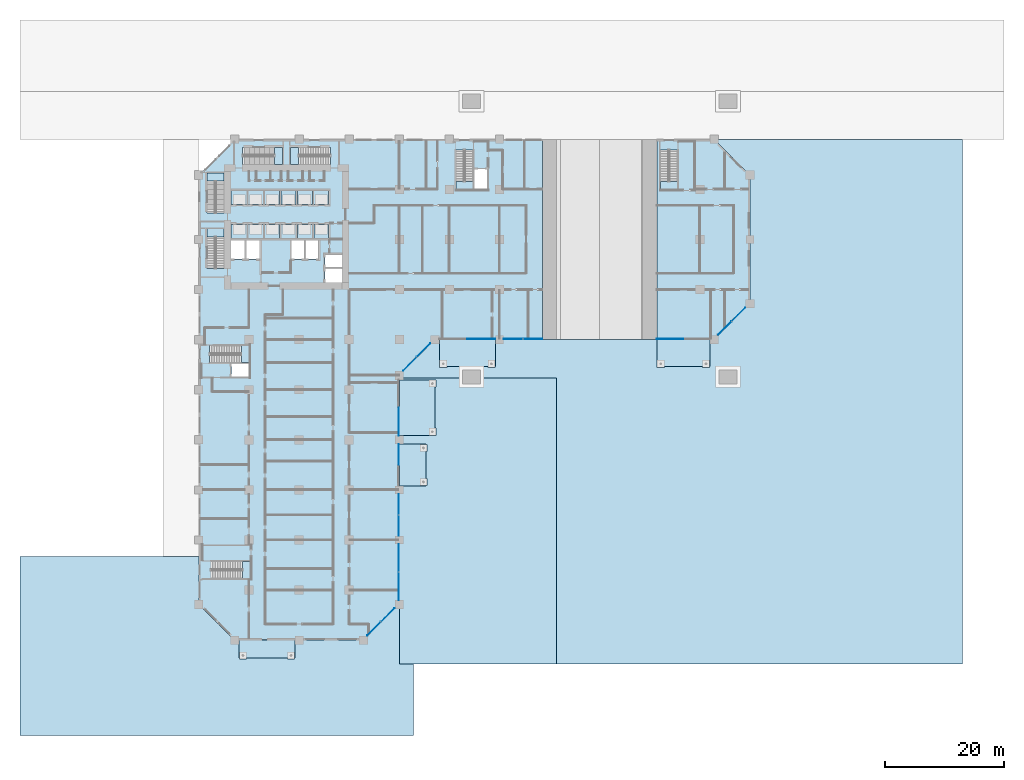
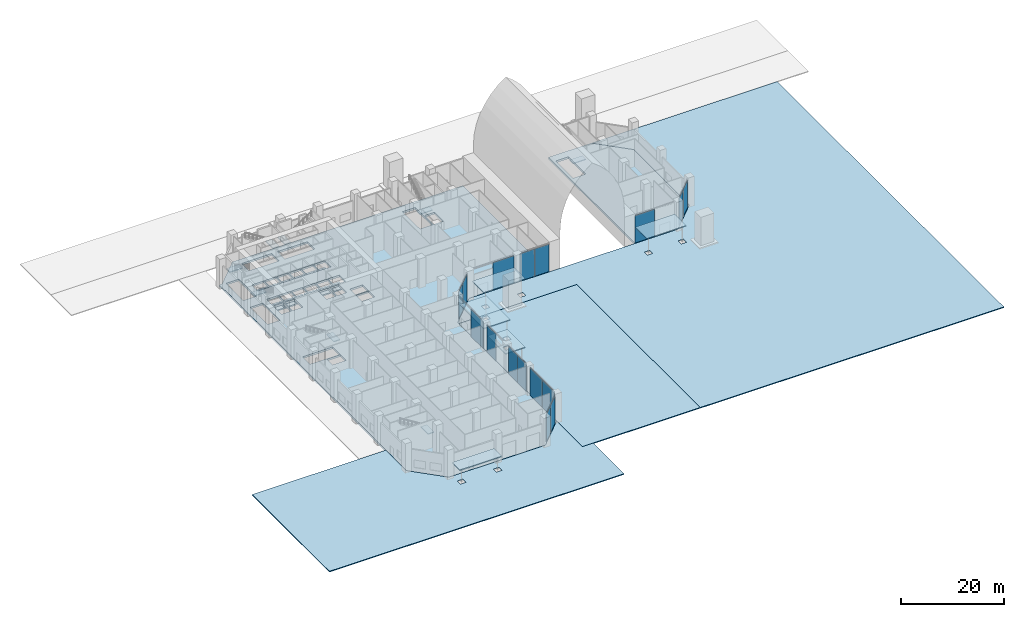
# One storey, part 13 of 32: 30 slabs, 16 plates, 14 elements without a shape of their own.
"""IFC4 building model written with IfcOpenShell, lengths in metres."""

from ifc_helpers import new_model, si_unit, direction, frame, origin, origin_2d, place, context, subcontext, project, spatial, polyline, rectangle, outline, extrude, material, layer, layer_set, type_object, element, aggregate, save


model = new_model("IFC4")

# Units and contexts
model_context = context("Model", 3, precision=1e-05, world=origin(), true_north=direction((0.0, 1.0)))
body_context = subcontext(model_context, "Body", "Model", "MODEL_VIEW")
ifc_project = project(units=[si_unit("LENGTHUNIT", "METRE"), si_unit("AREAUNIT", "SQUARE_METRE"), si_unit("VOLUMEUNIT", "CUBIC_METRE"), si_unit("PLANEANGLEUNIT", "RADIAN"), si_unit("MASSUNIT", "GRAM", prefix="KILO")], contexts=[model_context])

# Site, building, storey
site_placement = place(None, origin())
site = spatial("IfcSite", under=ifc_project, at=site_placement, CompositionType="ELEMENT")
building_placement = place(site_placement, origin())
building = spatial("IfcBuilding", under=site, at=building_placement, Name="Kawkab Arch Medical Tower", CompositionType="ELEMENT")
storey_placement = place(building_placement, origin())
storey = spatial("IfcBuildingStorey", under=building, at=storey_placement, Name="L01", CompositionType="ELEMENT", Elevation=0.0)

# Curtain wall, plates
ifc_material_1 = material(Name="Bronze anodised aluminium curtain wall frame", Category="aluminium")
ifc_layer_1 = layer(ifc_material_1, 0.159912109375)
ifc_layer_set_1 = layer_set([ifc_layer_1], Name="Bronze anodised aluminium curtain wall frame")
curtain_wall_type = type_object("IfcCurtainWallType", Name="CW5 podium green glass curtain wall", PredefinedType="NOTDEFINED", material=ifc_layer_set_1)
placement_1 = place(storey_placement, origin())
curtain_wall_1 = element("IfcCurtainWall", 1, at=placement_1, inside=storey, type_object=curtain_wall_type, Name="CW5 Podium green glass curtain wall R01", PredefinedType="NOTDEFINED")
ifc_material_2 = material(Name="Green tinted insulating glass", Category="glass")
ifc_layer_2 = layer(ifc_material_2, 0.031982421875)
ifc_layer_set_2 = layer_set([ifc_layer_2], Name="Green tinted insulating glass")
plate_type = type_object("IfcPlateType", Name="CW5 glazing unit 32", PredefinedType="CURTAIN_PANEL", material=ifc_layer_set_2)
plate_1_placement = place(storey_placement, frame((29.381103515625, -82.077392578125, 0.0), z_axis=(0.0, 0.0, 1.0), x_axis=(0.707106781187, 0.707106781187, 0.0)))
plate_1 = element("IfcPlate", 2, at=plate_1_placement, type_object=plate_type, Name="CW5 glazing unit 1.1", PredefinedType="CURTAIN_PANEL", context=body_context, shape_type="SweptSolid", body=[
    extrude(rectangle(XDim=3.187255859375, YDim=0.031982421875, at=origin_2d()), origin(), (0.0, 0.0, 1.0), 6.510009765625),
])
plate_2_placement = place(storey_placement, frame((31.677490234375, -79.78125, 0.0), z_axis=(0.0, 0.0, 1.0), x_axis=(0.707106781187, 0.707106781187, 0.0)))
plate_2 = element("IfcPlate", 3, at=plate_2_placement, type_object=plate_type, Name="CW5 glazing unit 1.2", PredefinedType="CURTAIN_PANEL", context=body_context, shape_type="SweptSolid", body=[
    extrude(rectangle(XDim=3.187255859375, YDim=0.031982421875, at=origin_2d()), origin(), (0.0, 0.0, 1.0), 6.510009765625),
])
aggregate(curtain_wall_1, [plate_1, plate_2])

curtain_wall_2 = element("IfcCurtainWall", 4, at=placement_1, inside=storey, type_object=curtain_wall_type, Name="CW5 Podium green glass curtain wall R02", PredefinedType="NOTDEFINED")
plate_3_placement = place(storey_placement, frame((33.5, -74.9462890625, 0.0), z_axis=(0.0, 0.0, 1.0), x_axis=(0.0, 1.0, 0.0)))
plate_3 = element("IfcPlate", 5, at=plate_3_placement, type_object=plate_type, Name="CW5 glazing unit 1.1", PredefinedType="CURTAIN_PANEL", context=body_context, shape_type="SweptSolid", body=[
    extrude(rectangle(XDim=4.657470703125, YDim=0.031982421875, at=origin_2d()), origin(), (0.0, 0.0, 1.0), 6.510009765625),
])
plate_4_placement = place(storey_placement, frame((33.5, -70.228759765625, 0.0), z_axis=(0.0, 0.0, 1.0), x_axis=(0.0, 1.0, 0.0)))
plate_4 = element("IfcPlate", 6, at=plate_4_placement, type_object=plate_type, Name="CW5 glazing unit 1.2", PredefinedType="CURTAIN_PANEL", context=body_context, shape_type="SweptSolid", body=[
    extrude(rectangle(XDim=4.657470703125, YDim=0.031982421875, at=origin_2d()), origin(), (0.0, 0.0, 1.0), 6.510009765625),
])
plate_5_placement = place(storey_placement, frame((33.5, -64.764892578125, 0.0), z_axis=(0.0, 0.0, 1.0), x_axis=(0.0, 1.0, 0.0)))
plate_5 = element("IfcPlate", 7, at=plate_5_placement, type_object=plate_type, Name="CW5 glazing unit 2.1", PredefinedType="CURTAIN_PANEL", context=body_context, shape_type="SweptSolid", body=[
    extrude(rectangle(XDim=3.469970703125, YDim=0.031982421875, at=origin_2d()), origin(), (0.0, 0.0, 1.0), 6.510009765625),
])
plate_6_placement = place(storey_placement, frame((33.5, -61.235107421875, 0.0), z_axis=(0.0, 0.0, 1.0), x_axis=(0.0, 1.0, 0.0)))
plate_6 = element("IfcPlate", 8, at=plate_6_placement, type_object=plate_type, Name="CW5 glazing unit 2.2", PredefinedType="CURTAIN_PANEL", context=body_context, shape_type="SweptSolid", body=[
    extrude(rectangle(XDim=3.469970703125, YDim=0.031982421875, at=origin_2d()), origin(), (0.0, 0.0, 1.0), 6.510009765625),
])
plate_7_placement = place(storey_placement, frame((33.5, -52.85009765625, 0.0), z_axis=(0.0, 0.0, 1.0), x_axis=(0.0, 1.0, 0.0)))
plate_7 = element("IfcPlate", 9, at=plate_7_placement, type_object=plate_type, Name="CW5 glazing unit 3.2", PredefinedType="CURTAIN_PANEL", context=body_context, shape_type="SweptSolid", body=[
    extrude(rectangle(XDim=3.5, YDim=0.031982421875, at=origin_2d()), origin(), (0.0, 0.0, 1.0), 6.510009765625),
])
plate_8_placement = place(storey_placement, frame((33.5, -47.356201171875, 0.0), z_axis=(0.0, 0.0, 1.0), x_axis=(0.0, 1.0, 0.0)))
plate_8 = element("IfcPlate", 10, at=plate_8_placement, type_object=plate_type, Name="CW5 glazing unit 4.1", PredefinedType="CURTAIN_PANEL", context=body_context, shape_type="SweptSolid", body=[
    extrude(rectangle(XDim=4.6875, YDim=0.031982421875, at=origin_2d()), origin(), (0.0, 0.0, 1.0), 6.510009765625),
])
aggregate(curtain_wall_2, [plate_3, plate_4, plate_5, plate_6, plate_7, plate_8])

curtain_wall_3 = element("IfcCurtainWall", 11, at=placement_1, inside=storey, type_object=curtain_wall_type, Name="CW5 Podium green glass curtain wall R03", PredefinedType="NOTDEFINED")
plate_9_placement = place(storey_placement, frame((35.381103515625, -37.677490234375, 0.0), z_axis=(0.0, 0.0, 1.0), x_axis=(0.707106781187, 0.707106781187, 0.0)))
plate_9 = element("IfcPlate", 12, at=plate_9_placement, type_object=plate_type, Name="CW5 glazing unit 1.1", PredefinedType="CURTAIN_PANEL", context=body_context, shape_type="SweptSolid", body=[
    extrude(rectangle(XDim=3.187255859375, YDim=0.031982421875, at=origin_2d()), origin(), (0.0, 0.0, 1.0), 6.510009765625),
])
plate_10_placement = place(storey_placement, frame((37.677490234375, -35.381103515625, 0.0), z_axis=(0.0, 0.0, 1.0), x_axis=(0.707106781187, 0.707106781187, 0.0)))
plate_10 = element("IfcPlate", 13, at=plate_10_placement, type_object=plate_type, Name="CW5 glazing unit 1.2", PredefinedType="CURTAIN_PANEL", context=body_context, shape_type="SweptSolid", body=[
    extrude(rectangle(XDim=3.187255859375, YDim=0.031982421875, at=origin_2d()), origin(), (0.0, 0.0, 1.0), 6.510009765625),
])
aggregate(curtain_wall_3, [plate_9, plate_10])

curtain_wall_4 = element("IfcCurtainWall", 14, at=placement_1, inside=storey, type_object=curtain_wall_type, Name="CW5 Podium green glass curtain wall R04", PredefinedType="NOTDEFINED")
plate_11_placement = place(storey_placement, frame((47.356201171875, -33.5, 0.0), z_axis=(0.0, 0.0, 1.0), x_axis=(1.0, 0.0, 0.0)))
plate_11 = element("IfcPlate", 15, at=plate_11_placement, type_object=plate_type, Name="CW5 glazing unit 1.2", PredefinedType="CURTAIN_PANEL", context=body_context, shape_type="SweptSolid", body=[
    extrude(rectangle(XDim=4.6875, YDim=0.031982421875, at=origin_2d()), origin(), (0.0, 0.0, 1.0), 6.510009765625),
])
plate_12_placement = place(storey_placement, frame((52.7099609375, -33.5, 0.0), z_axis=(0.0, 0.0, 1.0), x_axis=(1.0, 0.0, 0.0)))
plate_12 = element("IfcPlate", 16, at=plate_12_placement, type_object=plate_type, Name="CW5 glazing unit 2.1", PredefinedType="CURTAIN_PANEL", context=body_context, shape_type="SweptSolid", body=[
    extrude(rectangle(XDim=3.219970703125, YDim=0.031982421875, at=origin_2d()), origin(), (0.0, 0.0, 1.0), 6.510009765625),
])
plate_13_placement = place(storey_placement, frame((55.989990234375, -33.5, 0.0), z_axis=(0.0, 0.0, 1.0), x_axis=(1.0, 0.0, 0.0)))
plate_13 = element("IfcPlate", 17, at=plate_13_placement, type_object=plate_type, Name="CW5 glazing unit 2.2", PredefinedType="CURTAIN_PANEL", context=body_context, shape_type="SweptSolid", body=[
    extrude(rectangle(XDim=3.219970703125, YDim=0.031982421875, at=origin_2d()), origin(), (0.0, 0.0, 1.0), 6.510009765625),
])
aggregate(curtain_wall_4, [plate_11, plate_12, plate_13])

curtain_wall_5 = element("IfcCurtainWall", 18, at=placement_1, inside=storey, type_object=curtain_wall_type, Name="CW5 Podium green glass curtain wall R14", PredefinedType="NOTDEFINED")
plate_14_placement = place(storey_placement, frame((88.18115234375, -31.677490234375, 0.0), z_axis=(0.0, 0.0, 1.0), x_axis=(0.707106781187, 0.707106781187, 0.0)))
plate_14 = element("IfcPlate", 19, at=plate_14_placement, type_object=plate_type, Name="CW5 glazing unit 1.1", PredefinedType="CURTAIN_PANEL", context=body_context, shape_type="SweptSolid", body=[
    extrude(rectangle(XDim=3.187255859375, YDim=0.031982421875, at=origin_2d()), origin(), (0.0, 0.0, 1.0), 6.510009765625),
])
plate_15_placement = place(storey_placement, frame((90.4775390625, -29.381103515625, 0.0), z_axis=(0.0, 0.0, 1.0), x_axis=(0.707106781187, 0.707106781187, 0.0)))
plate_15 = element("IfcPlate", 20, at=plate_15_placement, type_object=plate_type, Name="CW5 glazing unit 1.2", PredefinedType="CURTAIN_PANEL", context=body_context, shape_type="SweptSolid", body=[
    extrude(rectangle(XDim=3.187255859375, YDim=0.031982421875, at=origin_2d()), origin(), (0.0, 0.0, 1.0), 6.510009765625),
])
aggregate(curtain_wall_5, [plate_14, plate_15])

# Curtain wall, plate
curtain_wall_6 = element("IfcCurtainWall", 21, at=placement_1, inside=storey, type_object=curtain_wall_type, Name="CW5 Podium green glass curtain wall R19", PredefinedType="NOTDEFINED")
plate_16_placement = place(storey_placement, frame((79.018798828125, -33.5, 0.0), z_axis=(0.0, 0.0, 1.0), x_axis=(1.0, 0.0, 0.0)))
plate_16 = element("IfcPlate", 22, at=plate_16_placement, type_object=plate_type, Name="CW5 glazing unit 1.1", PredefinedType="CURTAIN_PANEL", context=body_context, shape_type="SweptSolid", body=[
    extrude(rectangle(XDim=4.4375, YDim=0.031982421875, at=origin_2d()), origin(), (0.0, 0.0, 1.0), 6.510009765625),
])
aggregate(curtain_wall_6, [plate_16])

# Slabs
ifc_material_3 = material(Name="Concrete C40/50", Category="concrete")
ifc_layer_3 = layer(ifc_material_3, 0.25)
ifc_layer_set_3 = layer_set([ifc_layer_3], Name="Concrete C40/50")
slab_type_1 = type_object("IfcSlabType", Name="Canopy slab 250", PredefinedType="ROOF", material=ifc_layer_set_3)
placement_2 = place(storey_placement, frame((0.0, 0.0, 3.60009765625)))
element("IfcSlab", 23, at=placement_2, inside=storey, type_object=slab_type_1, Name="Canopy, main entrance, diagnostic block", PredefinedType="ROOF", context=body_context, shape_type="SweptSolid", body=[
    extrude(outline(polyline([(40.324951171875, -38.10009765625), (49.699951171875, -38.10009765625), (49.699951171875, -33.60009765625), (40.324951171875, -33.60009765625), (40.324951171875, -38.10009765625)])), origin(), (0.0, 0.0, 1.0), 0.25),
])
element("IfcSlab", 24, at=placement_2, inside=storey, type_object=slab_type_1, Name="Canopy, main entrance, pavilion", PredefinedType="ROOF", context=body_context, shape_type="SweptSolid", body=[
    extrude(outline(polyline([(76.800048828125, -38.10009765625), (85.675048828125, -38.10009765625), (85.675048828125, -33.60009765625), (76.800048828125, -33.60009765625), (76.800048828125, -38.10009765625)])), origin(), (0.0, 0.0, 1.0), 0.25),
])
slab_3_placement = place(storey_placement, frame((0.0, 0.0, 4.5)))
element("IfcSlab", 25, at=slab_3_placement, inside=storey, type_object=slab_type_1, Name="Canopy, emergency department ambulance entrance", PredefinedType="ROOF", context=body_context, shape_type="SweptSolid", body=[
    extrude(outline(polyline([(33.60009765625, -49.699951171875), (39.60009765625, -49.699951171875), (39.60009765625, -40.324951171875), (33.60009765625, -40.324951171875), (33.60009765625, -49.699951171875)])), origin(), (0.0, 0.0, 1.0), 0.25),
])
element("IfcSlab", 26, at=placement_2, inside=storey, type_object=slab_type_1, Name="Canopy, emergency department walk-in entrance", PredefinedType="ROOF", context=body_context, shape_type="SweptSolid", body=[
    extrude(outline(polyline([(33.60009765625, -58.10009765625), (38.10009765625, -58.10009765625), (38.10009765625, -51.10009765625), (33.60009765625, -51.10009765625), (33.60009765625, -58.10009765625)])), origin(), (0.0, 0.0, 1.0), 0.25),
])
slab_5_placement = place(storey_placement, frame((0.0, 0.0, 3.0)))
element("IfcSlab", 27, at=slab_5_placement, inside=storey, type_object=slab_type_1, Name="Canopy, staff entrance", PredefinedType="ROOF", context=body_context, shape_type="SweptSolid", body=[
    extrude(outline(polyline([(6.72509765625, -87.0), (16.10009765625, -87.0), (16.10009765625, -84.0), (6.72509765625, -84.0), (6.72509765625, -87.0)])), origin(), (0.0, 0.0, 1.0), 0.25),
])

# Stair, slab
ifc_material_4 = material(Name="Concrete C40/50", Category="concrete")
stair_type = type_object("IfcStairType", Name="Exit stair 1350", PredefinedType="HALF_TURN_STAIR", material=ifc_material_4)
stair_1 = element("IfcStair", 28, at=placement_1, inside=storey, type_object=stair_type, Name="L01 Exit stair ST1", PredefinedType="HALF_TURN_STAIR")
ifc_material_5 = material(Name="Concrete C40/50", Category="concrete")
ifc_layer_4 = layer(ifc_material_5, 0.199951171875)
ifc_layer_set_4 = layer_set([ifc_layer_4], Name="Concrete C40/50")
slab_type_2 = type_object("IfcSlabType", Name="Exit stair landing 200", PredefinedType="LANDING", material=ifc_layer_set_4)
placement_3 = place(storey_placement, frame((0.0, 0.0, 3.300048828125)))
slab_6 = element("IfcSlab", 29, at=placement_3, type_object=slab_type_2, Name="ST1 landing 1", PredefinedType="LANDING", context=body_context, shape_type="SweptSolid", body=[
    extrude(outline(polyline([(4.199951171875, -7.030029296875), (4.199951171875, -5.64990234375), (1.35009765625, -5.64990234375), (1.35009765625, -7.030029296875), (4.199951171875, -7.030029296875)])), origin(), (0.0, 0.0, 1.0), 0.199951171875),
])
aggregate(stair_1, [slab_6])

stair_2 = element("IfcStair", 30, at=placement_1, inside=storey, type_object=stair_type, Name="L01 Exit stair ST10", PredefinedType="HALF_TURN_STAIR")
slab_7 = element("IfcSlab", 31, at=placement_3, type_object=slab_type_2, Name="ST10 landing 1", PredefinedType="LANDING", context=body_context, shape_type="SweptSolid", body=[
    extrude(outline(polyline([(7.294921875, -73.64990234375), (8.675048828125, -73.64990234375), (8.675048828125, -70.800048828125), (7.294921875, -70.800048828125), (7.294921875, -73.64990234375)])), origin(), (0.0, 0.0, 1.0), 0.199951171875),
])
aggregate(stair_2, [slab_7])

stair_3 = element("IfcStair", 32, at=placement_1, inside=storey, type_object=stair_type, Name="L01 Exit stair ST2", PredefinedType="HALF_TURN_STAIR")
slab_8 = element("IfcSlab", 33, at=placement_3, type_object=slab_type_2, Name="ST2 landing 1", PredefinedType="LANDING", context=body_context, shape_type="SweptSolid", body=[
    extrude(outline(polyline([(4.199951171875, -16.3798828125), (4.199951171875, -15.0), (1.35009765625, -15.0), (1.35009765625, -16.3798828125), (4.199951171875, -16.3798828125)])), origin(), (0.0, 0.0, 1.0), 0.199951171875),
])
aggregate(stair_3, [slab_8])

stair_4 = element("IfcStair", 34, at=placement_1, inside=storey, type_object=stair_type, Name="L01 Exit stair ST3", PredefinedType="HALF_TURN_STAIR")
slab_9 = element("IfcSlab", 35, at=placement_3, type_object=slab_type_2, Name="ST3 landing 1", PredefinedType="LANDING", context=body_context, shape_type="SweptSolid", body=[
    extrude(outline(polyline([(12.669921875, -4.199951171875), (14.050048828125, -4.199951171875), (14.050048828125, -1.35009765625), (12.669921875, -1.35009765625), (12.669921875, -4.199951171875)])), origin(), (0.0, 0.0, 1.0), 0.199951171875),
])
aggregate(stair_4, [slab_9])

stair_5 = element("IfcStair", 36, at=placement_1, inside=storey, type_object=stair_type, Name="L01 Exit stair ST4", PredefinedType="HALF_TURN_STAIR")
slab_10 = element("IfcSlab", 37, at=placement_3, type_object=slab_type_2, Name="ST4 landing 1", PredefinedType="LANDING", context=body_context, shape_type="SweptSolid", body=[
    extrude(outline(polyline([(16.72998046875, -1.35009765625), (15.35009765625, -1.35009765625), (15.35009765625, -4.199951171875), (16.72998046875, -4.199951171875), (16.72998046875, -1.35009765625)])), origin(), (0.0, 0.0, 1.0), 0.199951171875),
])
aggregate(stair_5, [slab_10])

stair_6 = element("IfcStair", 38, at=placement_1, inside=storey, type_object=stair_type, Name="L01 Exit stair ST5", PredefinedType="HALF_TURN_STAIR")
slab_11 = element("IfcSlab", 39, at=placement_3, type_object=slab_type_2, Name="ST5 landing 1", PredefinedType="LANDING", context=body_context, shape_type="SweptSolid", body=[
    extrude(outline(polyline([(43.10009765625, -7.1201171875), (43.10009765625, -8.5), (45.949951171875, -8.5), (45.949951171875, -7.1201171875), (43.10009765625, -7.1201171875)])), origin(), (0.0, 0.0, 1.0), 0.199951171875),
])
aggregate(stair_6, [slab_11])

stair_7 = element("IfcStair", 40, at=placement_1, inside=storey, type_object=stair_type, Name="L01 Exit stair ST6", PredefinedType="HALF_TURN_STAIR")
slab_12 = element("IfcSlab", 41, at=placement_3, type_object=slab_type_2, Name="ST6 landing 1", PredefinedType="LANDING", context=body_context, shape_type="SweptSolid", body=[
    extrude(outline(polyline([(7.1201171875, -37.449951171875), (8.5, -37.449951171875), (8.5, -34.60009765625), (7.1201171875, -34.60009765625), (7.1201171875, -37.449951171875)])), origin(), (0.0, 0.0, 1.0), 0.199951171875),
])
aggregate(stair_7, [slab_12])

stair_8 = element("IfcStair", 42, at=placement_1, inside=storey, type_object=stair_type, Name="L01 Exit stair ST7", PredefinedType="HALF_TURN_STAIR")
slab_13 = element("IfcSlab", 43, at=placement_3, type_object=slab_type_2, Name="ST7 landing 1", PredefinedType="LANDING", context=body_context, shape_type="SweptSolid", body=[
    extrude(outline(polyline([(77.39990234375, -7.1201171875), (77.39990234375, -8.5), (80.25, -8.5), (80.25, -7.1201171875), (77.39990234375, -7.1201171875)])), origin(), (0.0, 0.0, 1.0), 0.199951171875),
])
aggregate(stair_8, [slab_13])

# Slabs
ifc_material_6 = material(Name="Concrete C45/55", Category="concrete")
ifc_layer_5 = layer(ifc_material_6, 0.449951171875)
ifc_layer_set_5 = layer_set([ifc_layer_5], Name="Concrete C45/55")
slab_type_3 = type_object("IfcSlabType", Name="Flat plate 450 C45/55", PredefinedType="FLOOR", material=ifc_layer_set_5)
placement_4 = place(storey_placement, frame((0.0, 0.0, -0.449951171875)))
element("IfcSlab", 44, at=placement_4, inside=storey, type_object=slab_type_3, Name="Floor slab L01", PredefinedType="FLOOR", context=body_context, shape_type="SweptSolid", body=[
    extrude(outline(polyline([(0.0, -78.0), (0.0, -13.89990234375), (-0.050048828125, -13.89990234375), (-0.050048828125, -5.449951171875), (0.550048828125, -5.449951171875), (6.0, 0.0), (57.60009765625, 0.0), (57.60009765625, -33.60009765625), (39.60009765625, -33.60009765625), (33.60009765625, -39.60009765625), (33.60009765625, -78.0), (27.60009765625, -84.0), (6.0, -84.0), (0.0, -78.0)]), holes=[polyline([(5.425048828125, -39.85009765625), (8.5, -39.85009765625), (8.5, -37.64990234375), (5.425048828125, -37.64990234375), (5.425048828125, -39.85009765625)]), polyline([(8.5, -37.449951171875), (8.5, -34.60009765625), (1.800048828125, -34.60009765625), (1.800048828125, -37.449951171875), (8.5, -37.449951171875)]), polyline([(5.39990234375, -20.050048828125), (7.675048828125, -20.050048828125), (7.675048828125, -16.89990234375), (5.39990234375, -16.89990234375), (5.39990234375, -20.050048828125)]), polyline([(7.925048828125, -16.89990234375), (7.925048828125, -20.050048828125), (10.199951171875, -20.050048828125), (10.199951171875, -16.89990234375), (7.925048828125, -16.89990234375)]), polyline([(4.199951171875, -15.0), (1.35009765625, -15.0), (1.35009765625, -21.699951171875), (4.199951171875, -21.699951171875), (4.199951171875, -15.0)]), polyline([(5.39990234375, -16.60009765625), (8.050048828125, -16.60009765625), (8.050048828125, -14.25), (5.39990234375, -14.25), (5.39990234375, -16.60009765625)]), polyline([(8.25, -16.60009765625), (10.800048828125, -16.60009765625), (10.800048828125, -14.25), (8.25, -14.25), (8.25, -16.60009765625)]), polyline([(13.52490234375, -16.60009765625), (13.52490234375, -14.25), (11.0, -14.25), (11.0, -16.60009765625), (13.52490234375, -16.60009765625)]), polyline([(13.77490234375, -16.60009765625), (16.27490234375, -16.60009765625), (16.27490234375, -14.25), (13.77490234375, -14.25), (13.77490234375, -16.60009765625)]), polyline([(5.39990234375, -10.949951171875), (8.050048828125, -10.949951171875), (8.050048828125, -8.60009765625), (5.39990234375, -8.60009765625), (5.39990234375, -10.949951171875)]), polyline([(8.25, -10.949951171875), (10.800048828125, -10.949951171875), (10.800048828125, -8.60009765625), (8.25, -8.60009765625), (8.25, -10.949951171875)]), polyline([(13.550048828125, -8.60009765625), (11.0, -8.60009765625), (11.0, -10.949951171875), (13.550048828125, -10.949951171875), (13.550048828125, -8.60009765625)]), polyline([(4.199951171875, -5.64990234375), (1.35009765625, -5.64990234375), (1.35009765625, -12.35009765625), (4.199951171875, -12.35009765625), (4.199951171875, -5.64990234375)]), polyline([(14.050048828125, -1.35009765625), (7.35009765625, -1.35009765625), (7.35009765625, -4.199951171875), (14.050048828125, -4.199951171875), (14.050048828125, -1.35009765625)]), polyline([(24.0, -21.72509765625), (21.14990234375, -21.72509765625), (21.14990234375, -24.0), (24.0, -24.0), (24.0, -21.72509765625)]), polyline([(24.0, -19.35009765625), (21.14990234375, -19.35009765625), (21.14990234375, -21.47509765625), (24.0, -21.47509765625), (24.0, -19.35009765625)]), polyline([(17.675048828125, -20.050048828125), (17.675048828125, -16.89990234375), (15.52490234375, -16.89990234375), (15.52490234375, -20.050048828125), (17.675048828125, -20.050048828125)]), polyline([(17.925048828125, -20.050048828125), (20.050048828125, -20.050048828125), (20.050048828125, -16.89990234375), (17.925048828125, -16.89990234375), (17.925048828125, -20.050048828125)]), polyline([(16.52490234375, -16.60009765625), (19.02490234375, -16.60009765625), (19.02490234375, -14.25), (16.52490234375, -14.25), (16.52490234375, -16.60009765625)]), polyline([(21.75, -16.60009765625), (21.75, -14.25), (19.27490234375, -14.25), (19.27490234375, -16.60009765625), (21.75, -16.60009765625)]), polyline([(16.300048828125, -8.60009765625), (13.75, -8.60009765625), (13.75, -10.949951171875), (16.300048828125, -10.949951171875), (16.300048828125, -8.60009765625)]), polyline([(19.050048828125, -10.949951171875), (19.050048828125, -8.60009765625), (16.5, -8.60009765625), (16.5, -10.949951171875), (19.050048828125, -10.949951171875)]), polyline([(21.75, -8.60009765625), (19.25, -8.60009765625), (19.25, -10.949951171875), (21.75, -10.949951171875), (21.75, -8.60009765625)]), polyline([(46.14990234375, -8.5), (48.35009765625, -8.5), (48.35009765625, -5.02490234375), (46.14990234375, -5.02490234375), (46.14990234375, -8.5)]), polyline([(43.10009765625, -8.5), (45.949951171875, -8.5), (45.949951171875, -1.800048828125), (43.10009765625, -1.800048828125), (43.10009765625, -8.5)]), polyline([(15.35009765625, -1.35009765625), (15.35009765625, -4.199951171875), (22.050048828125, -4.199951171875), (22.050048828125, -1.35009765625), (15.35009765625, -1.35009765625)])]), origin(), (0.0, 0.0, 1.0), 0.449951171875),
])
element("IfcSlab", 45, at=placement_4, inside=storey, type_object=slab_type_3, Name="Floor slab L01 part 2", PredefinedType="FLOOR", context=body_context, shape_type="SweptSolid", body=[
    extrude(outline(polyline([(86.39990234375, 0.0), (92.39990234375, -6.0), (92.39990234375, -27.60009765625), (86.39990234375, -33.60009765625), (76.800048828125, -33.60009765625), (76.800048828125, 0.0), (86.39990234375, 0.0)]), holes=[polyline([(77.39990234375, -8.5), (80.25, -8.5), (80.25, -1.800048828125), (77.39990234375, -1.800048828125), (77.39990234375, -8.5)])]), origin(), (0.0, 0.0, 1.0), 0.449951171875),
])
ifc_material_7 = material(Name="Concrete C40/50", Category="concrete")
ifc_layer_6 = layer(ifc_material_7, 0.300048828125)
ifc_layer_set_6 = layer_set([ifc_layer_6], Name="Concrete C40/50")
slab_type_4 = type_object("IfcSlabType", Name="Lift pit floor 300 C40/50", PredefinedType="BASESLAB", material=ifc_layer_set_6)
placement_5 = place(storey_placement, frame((0.0, 0.0, -1.800048828125)))
element("IfcSlab", 46, at=placement_5, inside=storey, type_object=slab_type_4, Name="Lift pit floor LP1", PredefinedType="BASESLAB", context=body_context, shape_type="SweptSolid", body=[
    extrude(outline(polyline([(5.39990234375, -10.949951171875), (8.050048828125, -10.949951171875), (8.050048828125, -8.60009765625), (5.39990234375, -8.60009765625), (5.39990234375, -10.949951171875)])), origin(), (0.0, 0.0, 1.0), 0.300048828125),
])
element("IfcSlab", 47, at=placement_5, inside=storey, type_object=slab_type_4, Name="Lift pit floor LP2", PredefinedType="BASESLAB", context=body_context, shape_type="SweptSolid", body=[
    extrude(outline(polyline([(8.25, -10.949951171875), (10.800048828125, -10.949951171875), (10.800048828125, -8.60009765625), (8.25, -8.60009765625), (8.25, -10.949951171875)])), origin(), (0.0, 0.0, 1.0), 0.300048828125),
])
element("IfcSlab", 48, at=placement_5, inside=storey, type_object=slab_type_4, Name="Lift pit floor LP3", PredefinedType="BASESLAB", context=body_context, shape_type="SweptSolid", body=[
    extrude(outline(polyline([(11.0, -10.949951171875), (13.550048828125, -10.949951171875), (13.550048828125, -8.60009765625), (11.0, -8.60009765625), (11.0, -10.949951171875)])), origin(), (0.0, 0.0, 1.0), 0.300048828125),
])
element("IfcSlab", 49, at=placement_5, inside=storey, type_object=slab_type_4, Name="Lift pit floor LP4", PredefinedType="BASESLAB", context=body_context, shape_type="SweptSolid", body=[
    extrude(outline(polyline([(13.75, -10.949951171875), (16.300048828125, -10.949951171875), (16.300048828125, -8.60009765625), (13.75, -8.60009765625), (13.75, -10.949951171875)])), origin(), (0.0, 0.0, 1.0), 0.300048828125),
])
element("IfcSlab", 50, at=placement_5, inside=storey, type_object=slab_type_4, Name="Lift pit floor MP1", PredefinedType="BASESLAB", context=body_context, shape_type="SweptSolid", body=[
    extrude(outline(polyline([(16.5, -10.949951171875), (19.050048828125, -10.949951171875), (19.050048828125, -8.60009765625), (16.5, -8.60009765625), (16.5, -10.949951171875)])), origin(), (0.0, 0.0, 1.0), 0.300048828125),
])
element("IfcSlab", 51, at=placement_5, inside=storey, type_object=slab_type_4, Name="Lift pit floor MP2", PredefinedType="BASESLAB", context=body_context, shape_type="SweptSolid", body=[
    extrude(outline(polyline([(19.25, -10.949951171875), (21.75, -10.949951171875), (21.75, -8.60009765625), (19.25, -8.60009765625), (19.25, -10.949951171875)])), origin(), (0.0, 0.0, 1.0), 0.300048828125),
])
element("IfcSlab", 52, at=placement_5, inside=storey, type_object=slab_type_4, Name="Lift pit floor MP3", PredefinedType="BASESLAB", context=body_context, shape_type="SweptSolid", body=[
    extrude(outline(polyline([(5.39990234375, -16.60009765625), (8.050048828125, -16.60009765625), (8.050048828125, -14.25), (5.39990234375, -14.25), (5.39990234375, -16.60009765625)])), origin(), (0.0, 0.0, 1.0), 0.300048828125),
])
element("IfcSlab", 53, at=placement_5, inside=storey, type_object=slab_type_4, Name="Lift pit floor MP4", PredefinedType="BASESLAB", context=body_context, shape_type="SweptSolid", body=[
    extrude(outline(polyline([(8.25, -16.60009765625), (10.800048828125, -16.60009765625), (10.800048828125, -14.25), (8.25, -14.25), (8.25, -16.60009765625)])), origin(), (0.0, 0.0, 1.0), 0.300048828125),
])
element("IfcSlab", 54, at=placement_5, inside=storey, type_object=slab_type_4, Name="Lift pit floor HP1", PredefinedType="BASESLAB", context=body_context, shape_type="SweptSolid", body=[
    extrude(outline(polyline([(11.0, -16.60009765625), (13.52490234375, -16.60009765625), (13.52490234375, -14.25), (11.0, -14.25), (11.0, -16.60009765625)])), origin(), (0.0, 0.0, 1.0), 0.300048828125),
])
element("IfcSlab", 55, at=placement_5, inside=storey, type_object=slab_type_4, Name="Lift pit floor HP2", PredefinedType="BASESLAB", context=body_context, shape_type="SweptSolid", body=[
    extrude(outline(polyline([(13.77490234375, -16.60009765625), (16.27490234375, -16.60009765625), (16.27490234375, -14.25), (13.77490234375, -14.25), (13.77490234375, -16.60009765625)])), origin(), (0.0, 0.0, 1.0), 0.300048828125),
])
element("IfcSlab", 56, at=placement_5, inside=storey, type_object=slab_type_4, Name="Lift pit floor HP3", PredefinedType="BASESLAB", context=body_context, shape_type="SweptSolid", body=[
    extrude(outline(polyline([(16.52490234375, -16.60009765625), (19.02490234375, -16.60009765625), (19.02490234375, -14.25), (16.52490234375, -14.25), (16.52490234375, -16.60009765625)])), origin(), (0.0, 0.0, 1.0), 0.300048828125),
])
element("IfcSlab", 57, at=placement_5, inside=storey, type_object=slab_type_4, Name="Lift pit floor HP4", PredefinedType="BASESLAB", context=body_context, shape_type="SweptSolid", body=[
    extrude(outline(polyline([(19.27490234375, -16.60009765625), (21.75, -16.60009765625), (21.75, -14.25), (19.27490234375, -14.25), (19.27490234375, -16.60009765625)])), origin(), (0.0, 0.0, 1.0), 0.300048828125),
])
ifc_material_8 = material(Name="Granite and concrete paving on compacted base", Category="masonry")
ifc_layer_7 = layer(ifc_material_8, 0.199951171875)
ifc_layer_set_7 = layer_set([ifc_layer_7], Name="Granite and concrete paving on compacted base")
slab_type_5 = type_object("IfcSlabType", Name="Paving slab 200 (PV-D)", PredefinedType="USERDEFINED", material=ifc_layer_set_7)
placement_6 = place(storey_placement, frame((0.0, 0.0, -0.199951171875)))
element("IfcSlab", 58, at=placement_6, inside=storey, type_object=slab_type_5, Name="Drop-off and ambulance court", ObjectType="PAVING", PredefinedType="USERDEFINED", context=body_context, shape_type="SweptSolid", body=[
    extrude(outline(polyline([(33.60009765625, -88.0), (60.0, -88.0), (60.0, -40.0), (33.60009765625, -40.0), (33.60009765625, -88.0)]), holes=[polyline([(38.25, -56.85009765625), (38.25, -58.050048828125), (37.050048828125, -58.050048828125), (37.050048828125, -56.85009765625), (38.25, -56.85009765625)]), polyline([(38.25, -52.35009765625), (37.050048828125, -52.35009765625), (37.050048828125, -51.14990234375), (38.25, -51.14990234375), (38.25, -52.35009765625)]), polyline([(39.75, -49.64990234375), (38.550048828125, -49.64990234375), (38.550048828125, -48.449951171875), (39.75, -48.449951171875), (39.75, -49.64990234375)]), polyline([(39.75, -40.375), (39.75, -41.574951171875), (38.550048828125, -41.574951171875), (38.550048828125, -40.375), (39.75, -40.375)])]), origin(), (0.0, 0.0, 1.0), 0.199951171875),
])
ifc_material_9 = material(Name="Granite and concrete paving on compacted base", Category="masonry")
ifc_layer_8 = layer(ifc_material_9, 0.199951171875)
ifc_layer_set_8 = layer_set([ifc_layer_8], Name="Granite and concrete paving on compacted base")
slab_type_6 = type_object("IfcSlabType", Name="Paving slab 200 (PV-P)", PredefinedType="USERDEFINED", material=ifc_layer_set_8)
element("IfcSlab", 59, at=placement_6, inside=storey, type_object=slab_type_6, Name="Plaza", ObjectType="PAVING", PredefinedType="USERDEFINED", context=body_context, shape_type="SweptSolid", body=[
    extrude(outline(polyline([(60.0, -88.0), (128.0, -88.0), (128.0, 0.0), (86.39990234375, 0.0), (92.39990234375, -6.0), (92.39990234375, -27.60009765625), (86.39990234375, -33.60009765625), (39.60009765625, -33.60009765625), (33.60009765625, -39.60009765625), (33.60009765625, -40.0), (60.0, -40.0), (60.0, -88.0)]), holes=[polyline([(41.574951171875, -37.050048828125), (41.574951171875, -38.25), (40.375, -38.25), (40.375, -37.050048828125), (41.574951171875, -37.050048828125)]), polyline([(49.64990234375, -37.050048828125), (49.64990234375, -38.25), (48.449951171875, -38.25), (48.449951171875, -37.050048828125), (49.64990234375, -37.050048828125)]), polyline([(78.050048828125, -38.25), (76.85009765625, -38.25), (76.85009765625, -37.050048828125), (78.050048828125, -37.050048828125), (78.050048828125, -38.25)]), polyline([(85.625, -38.25), (84.425048828125, -38.25), (84.425048828125, -37.050048828125), (85.625, -37.050048828125), (85.625, -38.25)])]), origin(), (0.0, 0.0, 1.0), 0.199951171875),
])
ifc_material_10 = material(Name="Granite and concrete paving on compacted base", Category="masonry")
ifc_layer_9 = layer(ifc_material_10, 0.199951171875)
ifc_layer_set_9 = layer_set([ifc_layer_9], Name="Granite and concrete paving on compacted base")
slab_type_7 = type_object("IfcSlabType", Name="Paving slab 200 (PV-S)", PredefinedType="USERDEFINED", material=ifc_layer_set_9)
element("IfcSlab", 60, at=placement_6, inside=storey, type_object=slab_type_7, Name="Service court", ObjectType="PAVING", PredefinedType="USERDEFINED", context=body_context, shape_type="SweptSolid", body=[
    extrude(outline(polyline([(-30.0, -100.0), (36.0, -100.0), (36.0, -88.0), (33.60009765625, -88.0), (33.60009765625, -78.0), (27.60009765625, -84.0), (6.0, -84.0), (0.0, -78.0), (0.0, -70.0), (-30.0, -70.0), (-30.0, -100.0)]), holes=[polyline([(7.97509765625, -85.949951171875), (7.97509765625, -87.14990234375), (6.77490234375, -87.14990234375), (6.77490234375, -85.949951171875), (7.97509765625, -85.949951171875)]), polyline([(16.050048828125, -85.949951171875), (16.050048828125, -87.14990234375), (14.85009765625, -87.14990234375), (14.85009765625, -85.949951171875), (16.050048828125, -85.949951171875)])]), origin(), (0.0, 0.0, 1.0), 0.199951171875),
])

save(model, "model.ifc")
